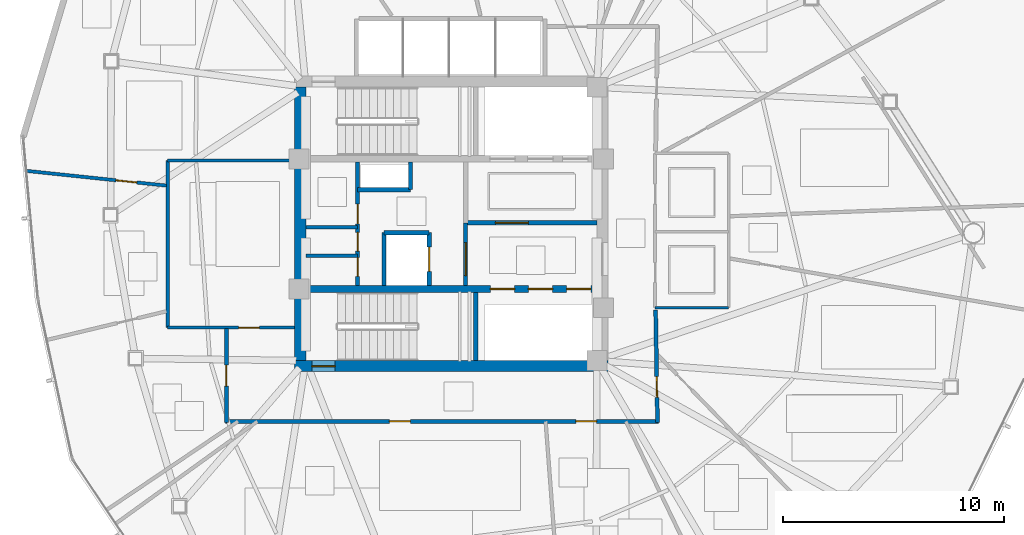
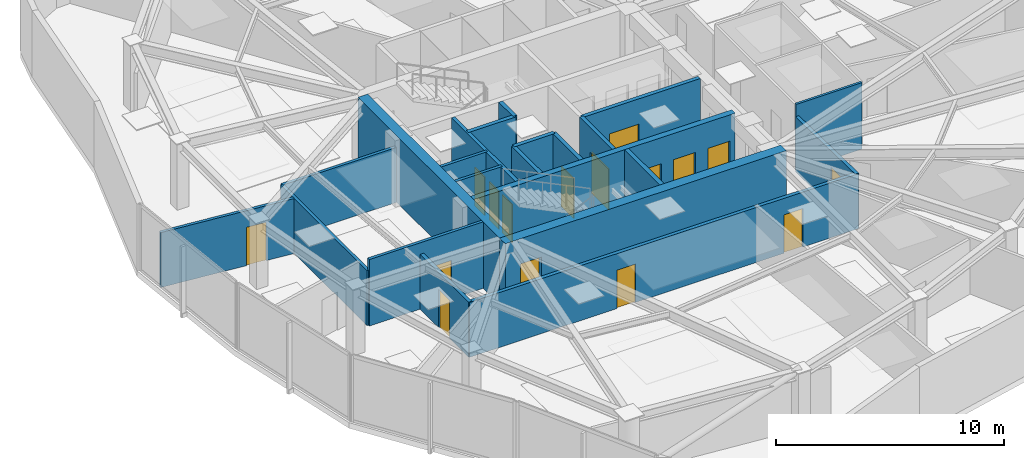
# One storey, part 11 of 17: 22 walls, 16 doors, 16 openings.
"""IFC4 building model written with IfcOpenShell, lengths in metres."""

from ifc_helpers import new_model, si_unit, direction, frame, frame_2d, origin, place, context, subcontext, project, spatial, rectangle, extrude, material, layer, layer_set, type_object, element, fill, save


model = new_model("IFC4")

# Units and contexts
model_context = context("Model", 3, precision=1e-05, world=origin(), true_north=direction((0.0, 1.0)))
body_context = subcontext(model_context, "Body", "Model", "MODEL_VIEW")
ifc_project = project(units=[si_unit("LENGTHUNIT", "METRE"), si_unit("AREAUNIT", "SQUARE_METRE"), si_unit("VOLUMEUNIT", "CUBIC_METRE"), si_unit("PLANEANGLEUNIT", "RADIAN"), si_unit("MASSUNIT", "GRAM", prefix="KILO")], contexts=[model_context])

# Site, building, storey
site_placement = place(None, origin())
site = spatial("IfcSite", under=ifc_project, at=site_placement, CompositionType="ELEMENT")
building_placement = place(site_placement, origin())
building = spatial("IfcBuilding", under=site, at=building_placement, Name="Tavelor Broadcast Tower", CompositionType="ELEMENT")
storey_placement = place(building_placement, frame((0.0, 0.0, 196.449951171875)))
storey = spatial("IfcBuildingStorey", under=building, at=storey_placement, Name="L47", CompositionType="ELEMENT", Elevation=196.449951171875)

# Wall, opening, door
ifc_material_1 = material(Name="Concrete C50/60", Category="concrete")
ifc_layer_1 = layer(ifc_material_1, 0.5)
ifc_layer_set_1 = layer_set([ifc_layer_1], Name="Concrete C50/60")
wall_type_1 = type_object("IfcWallType", Name="Core Shear Wall 500 mm", PredefinedType="SHEAR", material=ifc_layer_set_1)
wall_1_placement = place(storey_placement, frame((42.89990234375, 38.550048828125, 0.0), z_axis=(0.0, 0.0, 1.0), x_axis=(1.0, 0.0, 0.0)))
wall_1 = element("IfcWall", 1, at=wall_1_placement, inside=storey, type_object=wall_type_1, Name="L47 Central Core Shear Wall S", PredefinedType="SHEAR", context=body_context, shape_type="SweptSolid", body=[
    extrude(rectangle(XDim=14.2001953125, YDim=0.5, at=frame_2d((7.10009765625, 0.0))), origin(), (0.0, 0.0, 1.0), 3.550048828125),
])
opening_1_placement = place(wall_1_placement, frame((0.780029296875, 0.0, 0.0)))
opening_1 = element("IfcOpeningElement", 2, at=opening_1_placement, cuts=wall_1, Name="Opening DR11", PredefinedType="OPENING", context=body_context, shape_type="SweptSolid", body=[
    extrude(rectangle(XDim=1.050048828125, YDim=2.199951171875, at=frame_2d((0.52490234375, 1.10009765625))), frame((0.0, 0.260009765625, 0.0), z_axis=(0.0, -1.0, 0.0), x_axis=(1.0, 0.0, 0.0)), (0.0, 0.0, 1.0), 0.52001953125),
])
ifc_material_2 = material(Name="Steel S355", Category="steel")
door_type_1 = type_object("IfcDoorType", Name="Stair Core Fire Escape Door 1050x2200", OperationType="NOTDEFINED", PredefinedType="DOOR", material=ifc_material_2)
door_1_placement = place(opening_1_placement, origin())
door_1 = element("IfcDoor", 3, at=door_1_placement, inside=storey, type_object=door_type_1, Name="L47 Stair ST2 Protected Exit Door", OperationType="SINGLE_SWING_RIGHT", OverallHeight=2.199951171875, OverallWidth=1.050048828125, PredefinedType="DOOR", context=body_context, shape_type="SweptSolid", body=[
    extrude(rectangle(XDim=1.050048828125, YDim=2.199951171875, at=frame_2d((0.52490234375, 1.10009765625))), frame((0.0, 0.02490234375, 0.0), z_axis=(0.0, -1.0, 0.0), x_axis=(1.0, 0.0, 0.0)), (0.0, 0.0, 1.0), 0.050048828125),
])
fill(opening_1, door_1)

# Wall
wall_2_placement = place(storey_placement, frame((43.14990234375, 38.800048828125, 0.0), z_axis=(0.0, 0.0, 1.0), x_axis=(0.0, 1.0, 0.0)))
element("IfcWall", 4, at=wall_2_placement, inside=storey, type_object=wall_type_1, Name="L47 Central Core Shear Wall W", PredefinedType="SHEAR", context=body_context, shape_type="SweptSolid", body=[
    extrude(rectangle(XDim=12.39990234375, YDim=0.5, at=frame_2d((6.199951171875, 0.0))), origin(), (0.0, 0.0, 1.0), 3.550048828125),
])

# Wall, openings, doors
ifc_layer_2 = layer(ifc_material_1, 0.300048828125)
ifc_layer_set_2 = layer_set([ifc_layer_2], Name="Concrete C50/60")
wall_type_2 = type_object("IfcWallType", Name="Core Spine Shear Wall 300 mm C50", PredefinedType="SHEAR", material=ifc_layer_set_2)
wall_3_placement = place(storey_placement, frame((43.39990234375, 42.050048828125, 0.0), z_axis=(0.0, 0.0, 1.0), x_axis=(1.0, 0.0, 0.0)))
wall_3 = element("IfcWall", 5, at=wall_3_placement, inside=storey, type_object=wall_type_2, Name="L47 Central Core Shear Wall SP2", PredefinedType="SHEAR", context=body_context, shape_type="SweptSolid", body=[
    extrude(rectangle(XDim=13.2001953125, YDim=0.300048828125, at=frame_2d((6.60009765625, 0.0))), origin(), (0.0, 0.0, 1.0), 3.550048828125),
])
opening_2_placement = place(wall_3_placement, frame((8.3701171875, 0.0, 0.0)))
opening_2 = element("IfcOpeningElement", 6, at=opening_2_placement, cuts=wall_3, Name="Opening LD01", PredefinedType="OPENING", context=body_context, shape_type="SweptSolid", body=[
    extrude(rectangle(XDim=1.10009765625, YDim=2.14990234375, at=frame_2d((0.550048828125, 1.074951171875))), frame((0.0, 0.16015625, 0.0), z_axis=(0.0, -1.0, 0.0), x_axis=(1.0, 0.0, 0.0)), (0.0, 0.0, 1.0), 0.320068359375),
])
opening_3_placement = place(wall_3_placement, frame((10.090087890625, 0.0, 0.0)))
opening_3 = element("IfcOpeningElement", 7, at=opening_3_placement, cuts=wall_3, Name="Opening LD01", PredefinedType="OPENING", context=body_context, shape_type="SweptSolid", body=[
    extrude(rectangle(XDim=1.10009765625, YDim=2.14990234375, at=frame_2d((0.550048828125, 1.074951171875))), frame((0.0, 0.16015625, 0.0), z_axis=(0.0, -1.0, 0.0), x_axis=(1.0, 0.0, 0.0)), (0.0, 0.0, 1.0), 0.320068359375),
])
opening_4_placement = place(wall_3_placement, frame((11.830078125, 0.0, 0.0)))
opening_4 = element("IfcOpeningElement", 8, at=opening_4_placement, cuts=wall_3, Name="Opening LD01", PredefinedType="OPENING", context=body_context, shape_type="SweptSolid", body=[
    extrude(rectangle(XDim=1.10009765625, YDim=2.14990234375, at=frame_2d((0.550048828125, 1.074951171875))), frame((0.0, 0.16015625, 0.0), z_axis=(0.0, -1.0, 0.0), x_axis=(1.0, 0.0, 0.0)), (0.0, 0.0, 1.0), 0.320068359375),
])
ifc_material_3 = material(Name="Brushed Stainless Steel", Category="steel")
door_type_2 = type_object("IfcDoorType", Name="Passenger Lift Sliding Landing Door 1100x2150", OperationType="NOTDEFINED", PredefinedType="DOOR", material=ifc_material_3)
door_2_placement = place(opening_2_placement, origin())
door_2 = element("IfcDoor", 9, at=door_2_placement, inside=storey, type_object=door_type_2, Name="L47 Lift PLM1 Sliding Landing Door", OperationType="SLIDING_TO_LEFT", OverallHeight=2.14990234375, OverallWidth=1.10009765625, PredefinedType="DOOR", context=body_context, shape_type="SweptSolid", body=[
    extrude(rectangle(XDim=1.10009765625, YDim=2.14990234375, at=frame_2d((0.550048828125, 1.074951171875))), frame((0.0, 0.02490234375, 0.0), z_axis=(0.0, -1.0, 0.0), x_axis=(1.0, 0.0, 0.0)), (0.0, 0.0, 1.0), 0.050048828125),
])
fill(opening_2, door_2)
door_3_placement = place(opening_3_placement, origin())
door_3 = element("IfcDoor", 10, at=door_3_placement, inside=storey, type_object=door_type_2, Name="L47 Lift PLM2 Sliding Landing Door", OperationType="SLIDING_TO_LEFT", OverallHeight=2.14990234375, OverallWidth=1.10009765625, PredefinedType="DOOR", context=body_context, shape_type="SweptSolid", body=[
    extrude(rectangle(XDim=1.10009765625, YDim=2.14990234375, at=frame_2d((0.550048828125, 1.074951171875))), frame((0.0, 0.02490234375, 0.0), z_axis=(0.0, -1.0, 0.0), x_axis=(1.0, 0.0, 0.0)), (0.0, 0.0, 1.0), 0.050048828125),
])
fill(opening_3, door_3)
door_4_placement = place(opening_4_placement, origin())
door_4 = element("IfcDoor", 11, at=door_4_placement, inside=storey, type_object=door_type_2, Name="L47 Lift PLM3 Sliding Landing Door", OperationType="SLIDING_TO_LEFT", OverallHeight=2.14990234375, OverallWidth=1.10009765625, PredefinedType="DOOR", context=body_context, shape_type="SweptSolid", body=[
    extrude(rectangle(XDim=1.10009765625, YDim=2.14990234375, at=frame_2d((0.550048828125, 1.074951171875))), frame((0.0, 0.02490234375, 0.0), z_axis=(0.0, -1.0, 0.0), x_axis=(1.0, 0.0, 0.0)), (0.0, 0.0, 1.0), 0.050048828125),
])
fill(opening_4, door_4)

# Wall, opening, door
ifc_material_4 = material(Name="Calcium Silicate Fire Board 180 mm", Category="gypsum")
ifc_layer_3 = layer(ifc_material_4, 0.179931640625)
ifc_layer_set_3 = layer_set([ifc_layer_3], Name="Calcium Silicate Fire Board 180 mm")
wall_type_3 = type_object("IfcWallType", Name="Fire-Rated Corridor Partition Wall 180 mm", PredefinedType="PARTITIONING", material=ifc_layer_set_3)
wall_4_placement = place(storey_placement, frame((50.64990234375, 42.199951171875, 0.0), z_axis=(0.0, 0.0, 1.0), x_axis=(0.0, 1.0, 0.0)))
wall_4 = element("IfcWall", 12, at=wall_4_placement, inside=storey, type_object=wall_type_3, Name="L47 Core Lobby Zoning Wall", PredefinedType="PARTITIONING", context=body_context, shape_type="SweptSolid", body=[
    extrude(rectangle(XDim=2.85009765625, YDim=0.179931640625, at=frame_2d((1.425048828125, 0.0))), origin(), (0.0, 0.0, 1.0), 3.550048828125),
])
opening_5_placement = place(wall_4_placement, frame((0.449951171875, 0.0, 0.0)))
opening_5 = element("IfcOpeningElement", 13, at=opening_5_placement, cuts=wall_4, Name="Opening DR14", PredefinedType="OPENING", context=body_context, shape_type="SweptSolid", body=[
    extrude(rectangle(XDim=1.5, YDim=2.199951171875, at=frame_2d((0.75, 1.10009765625))), frame((0.0, 0.10009765625, 0.0), z_axis=(0.0, -1.0, 0.0), x_axis=(1.0, 0.0, 0.0)), (0.0, 0.0, 1.0), 0.199951171875),
])
door_type_3 = type_object("IfcDoorType", Name="Firefighting Lobby Double Fire Door 1500x2200", OperationType="NOTDEFINED", PredefinedType="DOOR", material=ifc_material_2)
door_5_placement = place(opening_5_placement, origin())
door_5 = element("IfcDoor", 14, at=door_5_placement, inside=storey, type_object=door_type_3, Name="L47 Core West Lobby Double Fire Door", OperationType="SINGLE_SWING_RIGHT", OverallHeight=2.199951171875, OverallWidth=1.5, PredefinedType="DOOR", context=body_context, shape_type="SweptSolid", body=[
    extrude(rectangle(XDim=1.5, YDim=2.199951171875, at=frame_2d((0.75, 1.10009765625))), frame((0.0, 0.02490234375, 0.0), z_axis=(0.0, -1.0, 0.0), x_axis=(1.0, 0.0, 0.0)), (0.0, 0.0, 1.0), 0.050048828125),
])
fill(opening_5, door_5)

# Wall, openings, doors
wall_5_placement = place(storey_placement, frame((45.75, 42.199951171875, 0.0), z_axis=(0.0, 0.0, 1.0), x_axis=(0.0, 1.0, 0.0)))
wall_5 = element("IfcWall", 15, at=wall_5_placement, inside=storey, type_object=wall_type_3, Name="L47 Core West Service East Wall", PredefinedType="PARTITIONING", context=body_context, shape_type="SweptSolid", body=[
    extrude(rectangle(XDim=5.60009765625, YDim=0.179931640625, at=frame_2d((2.800048828125, 0.0))), origin(), (0.0, 0.0, 1.0), 3.550048828125),
])
opening_6_placement = place(wall_5_placement, frame((0.419921875, 0.0, 0.0)))
opening_6 = element("IfcOpeningElement", 16, at=opening_6_placement, cuts=wall_5, Name="Opening DR36", PredefinedType="OPENING", context=body_context, shape_type="SweptSolid", body=[
    extrude(rectangle(XDim=0.85009765625, YDim=2.050048828125, at=frame_2d((0.425048828125, 1.02490234375))), frame((0.0, 0.10009765625, 0.0), z_axis=(0.0, -1.0, 0.0), x_axis=(1.0, 0.0, 0.0)), (0.0, 0.0, 1.0), 0.199951171875),
])
opening_7_placement = place(wall_5_placement, frame((1.570068359375, 0.0, 0.0)))
opening_7 = element("IfcOpeningElement", 17, at=opening_7_placement, cuts=wall_5, Name="Opening DR36", PredefinedType="OPENING", context=body_context, shape_type="SweptSolid", body=[
    extrude(rectangle(XDim=0.85009765625, YDim=2.050048828125, at=frame_2d((0.425048828125, 1.02490234375))), frame((0.0, 0.10009765625, 0.0), z_axis=(0.0, -1.0, 0.0), x_axis=(1.0, 0.0, 0.0)), (0.0, 0.0, 1.0), 0.199951171875),
])
opening_8_placement = place(wall_5_placement, frame((2.800048828125, 0.0, 0.0)))
opening_8 = element("IfcOpeningElement", 18, at=opening_8_placement, cuts=wall_5, Name="Opening DR32", PredefinedType="OPENING", context=body_context, shape_type="SweptSolid", body=[
    extrude(rectangle(XDim=0.89990234375, YDim=2.050048828125, at=frame_2d((0.449951171875, 1.02490234375))), frame((0.0, 0.10009765625, 0.0), z_axis=(0.0, -1.0, 0.0), x_axis=(1.0, 0.0, 0.0)), (0.0, 0.0, 1.0), 0.199951171875),
])
ifc_material_5 = material(Name="Timber Solid Core Hardwood", Category="wood")
door_type_4 = type_object("IfcDoorType", Name="Accessible Washroom Door 900x2050", OperationType="NOTDEFINED", PredefinedType="DOOR", material=ifc_material_5)
door_6_placement = place(opening_8_placement, origin())
door_6 = element("IfcDoor", 19, at=door_6_placement, inside=storey, type_object=door_type_4, Name="L47 Core Accessible WC Door", OperationType="SINGLE_SWING_LEFT", OverallHeight=2.050048828125, OverallWidth=0.89990234375, PredefinedType="DOOR", context=body_context, shape_type="SweptSolid", body=[
    extrude(rectangle(XDim=0.89990234375, YDim=2.050048828125, at=frame_2d((0.449951171875, 1.02490234375))), frame((0.0, 0.02490234375, 0.0), z_axis=(0.0, -1.0, 0.0), x_axis=(1.0, 0.0, 0.0)), (0.0, 0.0, 1.0), 0.050048828125),
])
fill(opening_8, door_6)
door_type_5 = type_object("IfcDoorType", Name="Service Room Fire Door 850x2050", OperationType="NOTDEFINED", PredefinedType="DOOR", material=ifc_material_2)
door_7_placement = place(opening_6_placement, origin())
door_7 = element("IfcDoor", 20, at=door_7_placement, inside=storey, type_object=door_type_5, Name="L47 Core Medical Room Door", OperationType="SINGLE_SWING_LEFT", OverallHeight=2.050048828125, OverallWidth=0.85009765625, PredefinedType="DOOR", context=body_context, shape_type="SweptSolid", body=[
    extrude(rectangle(XDim=0.85009765625, YDim=2.050048828125, at=frame_2d((0.425048828125, 1.02490234375))), frame((0.0, 0.02490234375, 0.0), z_axis=(0.0, -1.0, 0.0), x_axis=(1.0, 0.0, 0.0)), (0.0, 0.0, 1.0), 0.050048828125),
])
fill(opening_6, door_7)
door_8_placement = place(opening_7_placement, origin())
door_8 = element("IfcDoor", 21, at=door_8_placement, inside=storey, type_object=door_type_5, Name="L47 Core Copy Room Door", OperationType="SINGLE_SWING_RIGHT", OverallHeight=2.050048828125, OverallWidth=0.85009765625, PredefinedType="DOOR", context=body_context, shape_type="SweptSolid", body=[
    extrude(rectangle(XDim=0.85009765625, YDim=2.050048828125, at=frame_2d((0.425048828125, 1.02490234375))), frame((0.0, 0.02490234375, 0.0), z_axis=(0.0, -1.0, 0.0), x_axis=(1.0, 0.0, 0.0)), (0.0, 0.0, 1.0), 0.050048828125),
])
fill(opening_7, door_8)

# Wall, opening, door
wall_6_placement = place(storey_placement, frame((59.265869140625, 41.10009765625, 0.0), z_axis=(0.0, 0.0, 1.0), x_axis=(0.016656377357, -0.999861272924, 0.0)))
wall_6 = element("IfcWall", 22, at=wall_6_placement, inside=storey, type_object=wall_type_3, Name="L47 Corridor Compartment Wall 03", PredefinedType="PARTITIONING", context=body_context, shape_type="SweptSolid", body=[
    extrude(rectangle(XDim=5.100830078125, YDim=0.179931640625, at=frame_2d((2.55029296875, 0.0))), origin(), (0.0, 0.0, 1.0), 2.93505859375),
])
opening_9_placement = place(wall_6_placement, frame((3.021484375, 0.0, 0.0)))
opening_9 = element("IfcOpeningElement", 23, at=opening_9_placement, cuts=wall_6, Name="Opening DR18", PredefinedType="OPENING", context=body_context, shape_type="SweptSolid", body=[
    extrude(rectangle(XDim=0.949951171875, YDim=2.050048828125, at=frame_2d((0.47509765625, 1.02490234375))), frame((0.0, 0.10009765625, 0.0), z_axis=(0.0, -1.0, 0.0), x_axis=(1.0, 0.0, 0.0)), (0.0, 0.0, 1.0), 0.199951171875),
])
door_type_6 = type_object("IfcDoorType", Name="Corridor Rated Compartment Door 950x2050", OperationType="NOTDEFINED", PredefinedType="DOOR", material=ifc_material_5)
door_9_placement = place(opening_9_placement, origin())
door_9 = element("IfcDoor", 24, at=door_9_placement, inside=storey, type_object=door_type_6, Name="L47 Media Content Workshop Door R2", OperationType="SINGLE_SWING_LEFT", OverallHeight=2.050048828125, OverallWidth=0.949951171875, PredefinedType="DOOR", context=body_context, shape_type="SweptSolid", body=[
    extrude(rectangle(XDim=0.949951171875, YDim=2.050048828125, at=frame_2d((0.47509765625, 1.02490234375))), frame((0.0, 0.02490234375, 0.0), z_axis=(0.0, -1.0, 0.0), x_axis=(1.0, 0.0, 0.0)), (0.0, 0.0, 1.0), 0.050048828125),
])
fill(opening_9, door_9)

# Wall, openings, doors
wall_7_placement = place(storey_placement, frame((59.39990234375, 36.050048828125, 0.0), z_axis=(0.0, 0.0, 1.0), x_axis=(-1.0, 0.0, 0.0)))
wall_7 = element("IfcWall", 25, at=wall_7_placement, inside=storey, type_object=wall_type_3, Name="L47 Corridor Compartment Wall 04", PredefinedType="PARTITIONING", context=body_context, shape_type="SweptSolid", body=[
    extrude(rectangle(XDim=19.64990234375, YDim=0.179931640625, at=frame_2d((9.824951171875, 0.0))), origin(), (0.0, 0.0, 1.0), 2.93505859375),
])
opening_10_placement = place(wall_7_placement, frame((2.805419921875, 0.0, 0.0)))
opening_10 = element("IfcOpeningElement", 26, at=opening_10_placement, cuts=wall_7, Name="Opening DR18", PredefinedType="OPENING", context=body_context, shape_type="SweptSolid", body=[
    extrude(rectangle(XDim=0.949951171875, YDim=2.050048828125, at=frame_2d((0.47509765625, 1.02490234375))), frame((0.0, 0.10009765625, 0.0), z_axis=(0.0, -1.0, 0.0), x_axis=(1.0, 0.0, 0.0)), (0.0, 0.0, 1.0), 0.199951171875),
])
opening_11_placement = place(wall_7_placement, frame((11.26123046875, 0.0, 0.0)))
opening_11 = element("IfcOpeningElement", 27, at=opening_11_placement, cuts=wall_7, Name="Opening DR18", PredefinedType="OPENING", context=body_context, shape_type="SweptSolid", body=[
    extrude(rectangle(XDim=0.949951171875, YDim=2.050048828125, at=frame_2d((0.47509765625, 1.02490234375))), frame((0.0, 0.10009765625, 0.0), z_axis=(0.0, -1.0, 0.0), x_axis=(1.0, 0.0, 0.0)), (0.0, 0.0, 1.0), 0.199951171875),
])
door_10_placement = place(opening_10_placement, origin())
door_10 = element("IfcDoor", 28, at=door_10_placement, inside=storey, type_object=door_type_6, Name="L47 Satellite Control Room Door R13", OperationType="SINGLE_SWING_RIGHT", OverallHeight=2.050048828125, OverallWidth=0.949951171875, PredefinedType="DOOR", context=body_context, shape_type="SweptSolid", body=[
    extrude(rectangle(XDim=0.949951171875, YDim=2.050048828125, at=frame_2d((0.47509765625, 1.02490234375))), frame((0.0, 0.02490234375, 0.0), z_axis=(0.0, -1.0, 0.0), x_axis=(1.0, 0.0, 0.0)), (0.0, 0.0, 1.0), 0.050048828125),
])
fill(opening_10, door_10)
door_11_placement = place(opening_11_placement, origin())
door_11 = element("IfcDoor", 29, at=door_11_placement, inside=storey, type_object=door_type_6, Name="L47 Quiet Listening Room Door R4", OperationType="SINGLE_SWING_LEFT", OverallHeight=2.050048828125, OverallWidth=0.949951171875, PredefinedType="DOOR", context=body_context, shape_type="SweptSolid", body=[
    extrude(rectangle(XDim=0.949951171875, YDim=2.050048828125, at=frame_2d((0.47509765625, 1.02490234375))), frame((0.0, 0.02490234375, 0.0), z_axis=(0.0, -1.0, 0.0), x_axis=(1.0, 0.0, 0.0)), (0.0, 0.0, 1.0), 0.050048828125),
])
fill(opening_11, door_11)

# Wall, opening, door
wall_8_placement = place(storey_placement, frame((39.800048828125, 36.0, 0.0), z_axis=(0.0, 0.0, 1.0), x_axis=(0.0, 1.0, 0.0)))
wall_8 = element("IfcWall", 30, at=wall_8_placement, inside=storey, type_object=wall_type_3, Name="L47 Corridor Compartment Wall 05", PredefinedType="PARTITIONING", context=body_context, shape_type="SweptSolid", body=[
    extrude(rectangle(XDim=4.25, YDim=0.179931640625, at=frame_2d((2.125, 0.0))), origin(), (0.0, 0.0, 1.0), 2.93505859375),
])
opening_12_placement = place(wall_8_placement, frame((1.64990234375, 0.0, 0.0)))
opening_12 = element("IfcOpeningElement", 31, at=opening_12_placement, cuts=wall_8, Name="Opening DR18", PredefinedType="OPENING", context=body_context, shape_type="SweptSolid", body=[
    extrude(rectangle(XDim=0.949951171875, YDim=2.050048828125, at=frame_2d((0.47509765625, 1.02490234375))), frame((0.0, 0.10009765625, 0.0), z_axis=(0.0, -1.0, 0.0), x_axis=(1.0, 0.0, 0.0)), (0.0, 0.0, 1.0), 0.199951171875),
])
door_12_placement = place(opening_12_placement, origin())
door_12 = element("IfcDoor", 32, at=door_12_placement, inside=storey, type_object=door_type_6, Name="L47 Broadcast Craft Workshop Door R5", OperationType="SINGLE_SWING_RIGHT", OverallHeight=2.050048828125, OverallWidth=0.949951171875, PredefinedType="DOOR", context=body_context, shape_type="SweptSolid", body=[
    extrude(rectangle(XDim=0.949951171875, YDim=2.050048828125, at=frame_2d((0.47509765625, 1.02490234375))), frame((0.0, 0.02490234375, 0.0), z_axis=(0.0, -1.0, 0.0), x_axis=(1.0, 0.0, 0.0)), (0.0, 0.0, 1.0), 0.050048828125),
])
fill(opening_12, door_12)

# Walls
ifc_material_6 = material(Name="Gypsum Acoustic Plasterboard 150 mm", Category="gypsum")
ifc_layer_4 = layer(ifc_material_6, 0.14990234375)
ifc_layer_set_4 = layer_set([ifc_layer_4], Name="Gypsum Acoustic Plasterboard 150 mm")
wall_type_4 = type_object("IfcWallType", Name="Interior Acoustic Partition Wall 150 mm", PredefinedType="PARTITIONING", material=ifc_layer_set_4)
for number, where, z_axis, x_axis, name in (
    (33, (43.39990234375, 43.550048828125, 0.0), (0.0, 0.0, 1.0), (1.0, 0.0, 0.0), "L47 Core Split Wall B1"),
    (34, (43.39990234375, 44.85009765625, 0.0), (0.0, 0.0, 1.0), (1.0, 0.0, 0.0), "L47 Core Split Wall B2"),
):
    element("IfcWall", number, at=place(storey_placement, frame(where, z_axis=z_axis, x_axis=x_axis)), inside=storey, type_object=wall_type_4, Name=name, PredefinedType="PARTITIONING", context=body_context, shape_type="SweptSolid", body=[
        extrude(rectangle(XDim=2.35009765625, YDim=0.14990234375, at=frame_2d((1.175048828125, 0.0))), origin(), (0.0, 0.0, 1.0), 3.550048828125),
    ])

# Wall, opening, door
wall_9_placement = place(storey_placement, frame((37.139892578125, 40.300048828125, 0.0), z_axis=(0.0, 0.0, 1.0), x_axis=(1.0, 0.0, 0.0)))
wall_9 = element("IfcWall", 35, at=wall_9_placement, inside=storey, type_object=wall_type_4, Name="L47 Reclaimed Shaft Pantry South Wall", PredefinedType="PARTITIONING", context=body_context, shape_type="SweptSolid", body=[
    extrude(rectangle(XDim=5.760009765625, YDim=0.14990234375, at=frame_2d((2.8798828125, 0.0))), origin(), (0.0, 0.0, 1.0), 3.550048828125),
])
opening_13_placement = place(wall_9_placement, frame((3.2099609375, 0.0, 0.0)))
opening_13 = element("IfcOpeningElement", 36, at=opening_13_placement, cuts=wall_9, Name="Opening DR18", PredefinedType="OPENING", context=body_context, shape_type="SweptSolid", body=[
    extrude(rectangle(XDim=0.949951171875, YDim=2.050048828125, at=frame_2d((0.47509765625, 1.02490234375))), frame((0.0, 0.0849609375, 0.0), z_axis=(0.0, -1.0, 0.0), x_axis=(1.0, 0.0, 0.0)), (0.0, 0.0, 1.0), 0.169921875),
])
door_13_placement = place(opening_13_placement, origin())
door_13 = element("IfcDoor", 37, at=door_13_placement, inside=storey, type_object=door_type_6, Name="L47 Broadcast IT Patch and Pantry Door", OperationType="SINGLE_SWING_LEFT", OverallHeight=2.050048828125, OverallWidth=0.949951171875, PredefinedType="DOOR", context=body_context, shape_type="SweptSolid", body=[
    extrude(rectangle(XDim=0.949951171875, YDim=2.050048828125, at=frame_2d((0.47509765625, 1.02490234375))), frame((0.0, 0.02490234375, 0.0), z_axis=(0.0, -1.0, 0.0), x_axis=(1.0, 0.0, 0.0)), (0.0, 0.0, 1.0), 0.050048828125),
])
fill(opening_13, door_13)

# Walls
wall_10_placement = place(storey_placement, frame((37.139892578125, 40.300048828125, 0.0), z_axis=(0.0, 0.0, 1.0), x_axis=(0.0, 1.0, 0.0)))
element("IfcWall", 38, at=wall_10_placement, inside=storey, type_object=wall_type_4, Name="L47 Reclaimed Shaft Pantry West Wall", PredefinedType="PARTITIONING", context=body_context, shape_type="SweptSolid", body=[
    extrude(rectangle(XDim=7.579833984375, YDim=0.14990234375, at=frame_2d((3.7900390625, 0.0))), origin(), (0.0, 0.0, 1.0), 2.93505859375),
])
wall_11_placement = place(storey_placement, frame((37.139892578125, 47.8798828125, 0.0), z_axis=(0.0, 0.0, 1.0), x_axis=(1.0, 0.0, 0.0)))
element("IfcWall", 39, at=wall_11_placement, inside=storey, type_object=wall_type_4, Name="L47 Reclaimed Shaft Pantry North Wall", PredefinedType="PARTITIONING", context=body_context, shape_type="SweptSolid", body=[
    extrude(rectangle(XDim=5.760009765625, YDim=0.14990234375, at=frame_2d((2.8798828125, 0.0))), origin(), (0.0, 0.0, 1.0), 2.93505859375),
])

# Wall, opening, door
wall_12_placement = place(storey_placement, frame((37.080078125, 46.73779296875, 0.0), z_axis=(0.0, 0.0, 1.0), x_axis=(-0.994508796095, 0.1046530195, 0.0)))
wall_12 = element("IfcWall", 40, at=wall_12_placement, inside=storey, type_object=wall_type_4, Name="L47 Radial Compartment Wall 13", PredefinedType="PARTITIONING", context=body_context, shape_type="SweptSolid", body=[
    extrude(rectangle(XDim=6.4013671875, YDim=0.14990234375, at=frame_2d((3.20068359375, 0.0))), origin(), (0.0, 0.0, 1.0), 2.93505859375),
])
opening_14_placement = place(wall_12_placement, frame((1.35009765625, 0.0, 0.0)))
opening_14 = element("IfcOpeningElement", 41, at=opening_14_placement, cuts=wall_12, Name="Opening DR18", PredefinedType="OPENING", context=body_context, shape_type="SweptSolid", body=[
    extrude(rectangle(XDim=0.949951171875, YDim=2.050048828125, at=frame_2d((0.47509765625, 1.02490234375))), frame((0.0, 0.0849609375, 0.0), z_axis=(0.0, -1.0, 0.0), x_axis=(1.0, 0.0, 0.0)), (0.0, 0.0, 1.0), 0.169921875),
])
door_14_placement = place(opening_14_placement, origin())
door_14 = element("IfcDoor", 42, at=door_14_placement, inside=storey, type_object=door_type_6, Name="L47 Suite Connecting Door 7", OperationType="SINGLE_SWING_RIGHT", OverallHeight=2.050048828125, OverallWidth=0.949951171875, PredefinedType="DOOR", context=body_context, shape_type="SweptSolid", body=[
    extrude(rectangle(XDim=0.949951171875, YDim=2.050048828125, at=frame_2d((0.47509765625, 1.02490234375))), frame((0.0, 0.02490234375, 0.0), z_axis=(0.0, -1.0, 0.0), x_axis=(1.0, 0.0, 0.0)), (0.0, 0.0, 1.0), 0.050048828125),
])
fill(opening_14, door_14)

ifc_material_7 = material(Name="Concrete Blockwork 200 mm", Category="masonry")
ifc_layer_5 = layer(ifc_material_7, 0.199951171875)
ifc_layer_set_5 = layer_set([ifc_layer_5], Name="Concrete Blockwork 200 mm")
wall_type_5 = type_object("IfcWallType", Name="Lift Hoistway Rated Front Wall 200 mm", PredefinedType="PARTITIONING", material=ifc_layer_set_5)
wall_13_placement = place(storey_placement, frame((49.0, 42.199951171875, 0.0), z_axis=(0.0, 0.0, 1.0), x_axis=(0.0, 1.0, 0.0)))
wall_13 = element("IfcWall", 43, at=wall_13_placement, inside=storey, type_object=wall_type_5, Name="L47 Mid-Rise Lift PLM4 Hoistway Front Wall", PredefinedType="PARTITIONING", context=body_context, shape_type="SweptSolid", body=[
    extrude(rectangle(XDim=2.400146484375, YDim=0.199951171875, at=frame_2d((1.2001953125, 0.0))), origin(), (0.0, 0.0, 1.0), 3.550048828125),
])
opening_15_placement = place(wall_13_placement, frame((0.64990234375, 0.0, 0.0)))
opening_15 = element("IfcOpeningElement", 44, at=opening_15_placement, cuts=wall_13, Name="Opening LD01", PredefinedType="OPENING", context=body_context, shape_type="SweptSolid", body=[
    extrude(rectangle(XDim=1.10009765625, YDim=2.14990234375, at=frame_2d((0.550048828125, 1.074951171875))), frame((0.0, 0.10986328125, 0.0), z_axis=(0.0, -1.0, 0.0), x_axis=(1.0, 0.0, 0.0)), (0.0, 0.0, 1.0), 0.219970703125),
])
door_15_placement = place(opening_15_placement, origin())
door_15 = element("IfcDoor", 45, at=door_15_placement, inside=storey, type_object=door_type_2, Name="L47 Lift PLM4 Sliding Landing Door", OperationType="SLIDING_TO_RIGHT", OverallHeight=2.14990234375, OverallWidth=1.10009765625, PredefinedType="DOOR", context=body_context, shape_type="SweptSolid", body=[
    extrude(rectangle(XDim=1.10009765625, YDim=2.14990234375, at=frame_2d((0.550048828125, 1.074951171875))), frame((0.0, 0.02490234375, 0.0), z_axis=(0.0, -1.0, 0.0), x_axis=(1.0, 0.0, 0.0)), (0.0, 0.0, 1.0), 0.050048828125),
])
fill(opening_15, door_15)

# Walls
ifc_layer_6 = layer(ifc_material_7, 0.199951171875)
ifc_layer_set_6 = layer_set([ifc_layer_6], Name="Concrete Blockwork 200 mm")
wall_type_6 = type_object("IfcWallType", Name="Lift and Riser Shaft Enclosure Wall 200 mm", PredefinedType="PARTITIONING", material=ifc_layer_set_6)
wall_14_placement = place(storey_placement, frame((45.75, 46.550048828125, 0.0), z_axis=(0.0, 0.0, 1.0), x_axis=(1.0, 0.0, 0.0)))
element("IfcWall", 46, at=wall_14_placement, inside=storey, type_object=wall_type_6, Name="L47 Riser Shaft South Wall", PredefinedType="PARTITIONING", context=body_context, shape_type="SweptSolid", body=[
    extrude(rectangle(XDim=2.39990234375, YDim=0.199951171875, at=frame_2d((1.199951171875, 0.0))), origin(), (0.0, 0.0, 1.0), 3.550048828125),
])
wall_15_placement = place(storey_placement, frame((48.14990234375, 46.550048828125, 0.0), z_axis=(0.0, 0.0, 1.0), x_axis=(0.0, 1.0, 0.0)))
element("IfcWall", 47, at=wall_15_placement, inside=storey, type_object=wall_type_6, Name="L47 Riser Shaft East Wall", PredefinedType="PARTITIONING", context=body_context, shape_type="SweptSolid", body=[
    extrude(rectangle(XDim=1.25, YDim=0.199951171875, at=frame_2d((0.625, 0.0))), origin(), (0.0, 0.0, 1.0), 3.550048828125),
])
wall_16_placement = place(storey_placement, frame((46.949951171875, 42.199951171875, 0.0), z_axis=(0.0, 0.0, 1.0), x_axis=(0.0, 1.0, 0.0)))
element("IfcWall", 48, at=wall_16_placement, inside=storey, type_object=wall_type_6, Name="L47 Mid-Rise Lift PLM4 West Wall", PredefinedType="PARTITIONING", context=body_context, shape_type="SweptSolid", body=[
    extrude(rectangle(XDim=2.400146484375, YDim=0.199951171875, at=frame_2d((1.2001953125, 0.0))), origin(), (0.0, 0.0, 1.0), 3.550048828125),
])
wall_17_placement = place(storey_placement, frame((46.949951171875, 44.60009765625, 0.0), z_axis=(0.0, 0.0, 1.0), x_axis=(1.0, 0.0, 0.0)))
element("IfcWall", 49, at=wall_17_placement, inside=storey, type_object=wall_type_6, Name="L47 Mid-Rise Lift PLM4 North Wall", PredefinedType="PARTITIONING", context=body_context, shape_type="SweptSolid", body=[
    extrude(rectangle(XDim=2.050048828125, YDim=0.199951171875, at=frame_2d((1.02490234375, 0.0))), origin(), (0.0, 0.0, 1.0), 3.550048828125),
])

# Wall, opening, door
wall_18_placement = place(storey_placement, frame((50.64990234375, 45.050048828125, 0.0), z_axis=(0.0, 0.0, 1.0), x_axis=(1.0, 0.0, 0.0)))
wall_18 = element("IfcWall", 50, at=wall_18_placement, inside=storey, type_object=wall_type_6, Name="L47 Firefighting Lobby South Wall", PredefinedType="PARTITIONING", context=body_context, shape_type="SweptSolid", body=[
    extrude(rectangle(XDim=5.9501953125, YDim=0.199951171875, at=frame_2d((2.97509765625, 0.0))), origin(), (0.0, 0.0, 1.0), 3.550048828125),
])
opening_16_placement = place(wall_18_placement, frame((1.35009765625, 0.0, 0.0)))
opening_16 = element("IfcOpeningElement", 51, at=opening_16_placement, cuts=wall_18, Name="Opening DR14", PredefinedType="OPENING", context=body_context, shape_type="SweptSolid", body=[
    extrude(rectangle(XDim=1.5, YDim=2.199951171875, at=frame_2d((0.75, 1.10009765625))), frame((0.0, 0.10986328125, 0.0), z_axis=(0.0, -1.0, 0.0), x_axis=(1.0, 0.0, 0.0)), (0.0, 0.0, 1.0), 0.219970703125),
])
door_16_placement = place(opening_16_placement, origin())
door_16 = element("IfcDoor", 52, at=door_16_placement, inside=storey, type_object=door_type_3, Name="L47 Firefighting Lobby Compartment Door", OperationType="SINGLE_SWING_LEFT", OverallHeight=2.199951171875, OverallWidth=1.5, PredefinedType="DOOR", context=body_context, shape_type="SweptSolid", body=[
    extrude(rectangle(XDim=1.5, YDim=2.199951171875, at=frame_2d((0.75, 1.10009765625))), frame((0.0, 0.02490234375, 0.0), z_axis=(0.0, -1.0, 0.0), x_axis=(1.0, 0.0, 0.0)), (0.0, 0.0, 1.0), 0.050048828125),
])
fill(opening_16, door_16)

# Walls
ifc_material_8 = material(Name="Moisture-Resistant Plasterboard 120 mm", Category="gypsum")
ifc_layer_7 = layer(ifc_material_8, 0.1201171875)
ifc_layer_set_7 = layer_set([ifc_layer_7], Name="Moisture-Resistant Plasterboard 120 mm")
wall_type_7 = type_object("IfcWallType", Name="Moisture-Resistant Wet-Room Partition 120 mm", PredefinedType="PARTITIONING", material=ifc_layer_set_7)
wall_19_placement = place(storey_placement, frame((59.239990234375, 41.199951171875, 0.0), z_axis=(0.0, 0.0, 1.0), x_axis=(1.0, 0.0, 0.0)))
element("IfcWall", 53, at=wall_19_placement, inside=storey, type_object=wall_type_7, Name="L47 Floor Washrooms South Wall", PredefinedType="PARTITIONING", context=body_context, shape_type="SweptSolid", body=[
    extrude(rectangle(XDim=3.340087890625, YDim=0.1201171875, at=frame_2d((1.669921875, 0.0))), origin(), (0.0, 0.0, 1.0), 3.550048828125),
])
ifc_material_9 = material(Name="Concrete C40/50", Category="concrete")
ifc_layer_8 = layer(ifc_material_9, 0.219970703125)
ifc_layer_set_8 = layer_set([ifc_layer_8], Name="Concrete C40/50")
wall_type_8 = type_object("IfcWallType", Name="Structural Stairwell Shear Wall 220 mm", PredefinedType="SHEAR", material=ifc_layer_set_8)
wall_20_placement = place(storey_placement, frame((51.110107421875, 38.800048828125, 0.0), z_axis=(0.0, 0.0, 1.0), x_axis=(0.0, 1.0, 0.0)))
element("IfcWall", 54, at=wall_20_placement, inside=storey, type_object=wall_type_8, Name="L47 Stair ST2 Structural Shaft Wall", PredefinedType="SHEAR", context=body_context, shape_type="SweptSolid", body=[
    extrude(rectangle(XDim=3.099853515625, YDim=0.219970703125, at=frame_2d((1.5498046875, 0.0))), origin(), (0.0, 0.0, 1.0), 3.550048828125),
])

save(model, "model.ifc")
